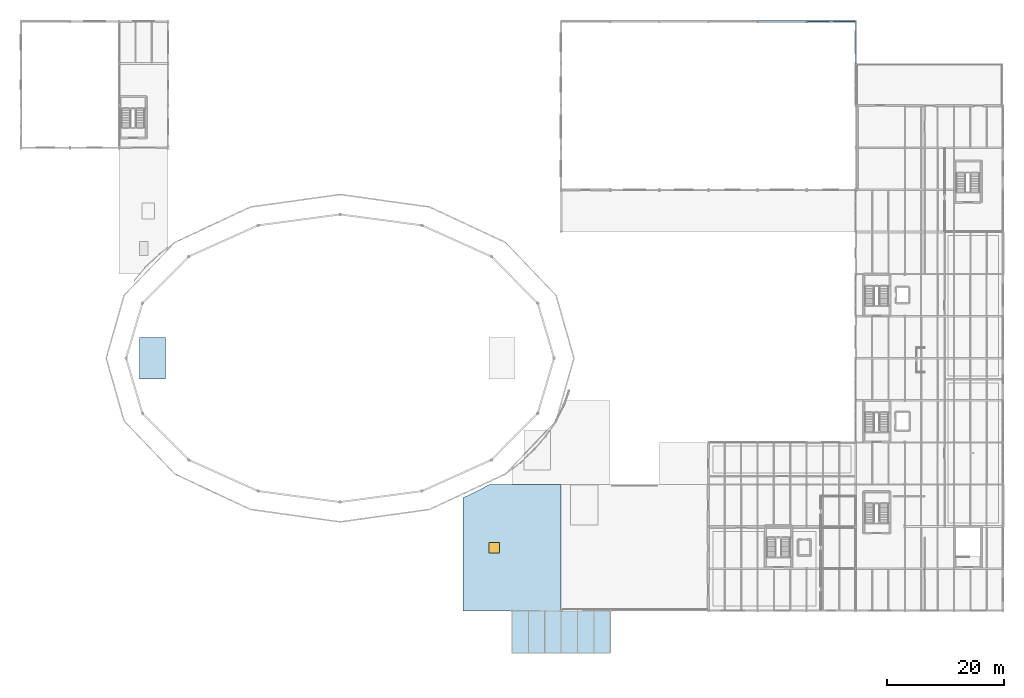
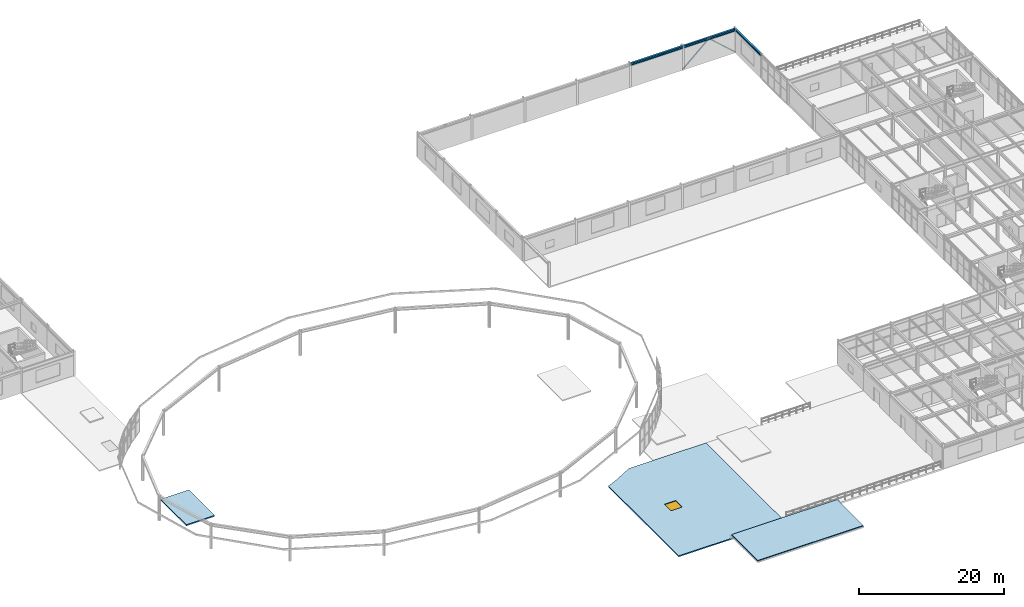
# One storey, part 51 of 73: 3 beams, 3 slabs, 2 members, 1 window, 1 opening.
"""IFC4 building model written with IfcOpenShell, lengths in metres."""

from ifc_helpers import new_model, si_unit, derived_unit, direction, frame, origin, origin_2d, place, context, subcontext, project, spatial, polyline, rectangle, hollow_rectangle, i_section, outline, extrude, material, layer, layer_set, material_profile, profile_set, type_object, element, fill, save


model = new_model("IFC4")

# Units and contexts
model_context = context("Model", 3, precision=1e-05, world=origin(), true_north=direction((0.0, 1.0)))
body_context = subcontext(model_context, "Body", "Model", "MODEL_VIEW")
ifc_project = project(units=[si_unit("LENGTHUNIT", "METRE"), si_unit("AREAUNIT", "SQUARE_METRE"), si_unit("VOLUMEUNIT", "CUBIC_METRE"), si_unit("PLANEANGLEUNIT", "RADIAN"), si_unit("MASSUNIT", "GRAM", prefix="KILO"), derived_unit("THERMALTRANSMITTANCEUNIT", [(si_unit("MASSUNIT", "GRAM", prefix="KILO"), 1), (si_unit("TIMEUNIT", "SECOND"), -3), (si_unit("THERMODYNAMICTEMPERATUREUNIT", "KELVIN"), -1)])], contexts=[model_context])

# Site, building, storey
site_placement = place(None, origin())
site = spatial("IfcSite", under=ifc_project, at=site_placement, CompositionType="ELEMENT")
building_placement = place(site_placement, origin())
building = spatial("IfcBuilding", under=site, at=building_placement, Name="Kharveza Railside Sports Centre", CompositionType="ELEMENT")
storey_placement = place(building_placement, frame((0.0, 0.0, 8.699951171875)))
storey = spatial("IfcBuildingStorey", under=building, at=storey_placement, Name="L02", CompositionType="ELEMENT", Elevation=8.699951171875)

# Beams
ifc_material_1 = material(Name="Steel S355J2", Category="steel")
ifc_material_profile_1 = material_profile(ifc_material_1, i_section(OverallWidth=0.300048828125, OverallDepth=0.31005859375, WebThickness=0.009033203125, FlangeThickness=0.015380859375, FilletRadius=0.027099609375, at=origin_2d()), Name="HEA 320")
ifc_profile_set_1 = profile_set([ifc_material_profile_1], Name="Steel S355J2")
beam_type_1 = type_object("IfcBeamType", Name="BM-S06", PredefinedType="BEAM", material=ifc_profile_set_1)
beam_1_placement = place(storey_placement, frame((142.800048828125, 100.800048828125, 3.844970703125), z_axis=(0.0, 1.0, 0.0), x_axis=(-1.0, 0.0, 0.0)))
element("IfcBeam", 1, at=beam_1_placement, inside=storey, type_object=beam_type_1, Name="BM-NS-L02-B14-X1428-Y1008", PredefinedType="BEAM", context=body_context, shape_type="SweptSolid", body=[
    extrude(i_section(OverallWidth=0.300048828125, OverallDepth=0.31005859375, WebThickness=0.009033203125, FlangeThickness=0.015380859375, FilletRadius=0.027099609375, at=origin_2d()), origin(), (0.0, 0.0, 1.0), 7.199951171875),
])
ifc_material_profile_2 = material_profile(ifc_material_1, i_section(OverallWidth=0.300048828125, OverallDepth=0.389892578125, WebThickness=0.010986328125, FlangeThickness=0.01904296875, FilletRadius=0.027099609375, at=origin_2d()), Name="HEA 400")
ifc_profile_set_2 = profile_set([ifc_material_profile_2], Name="Steel S355J2")
beam_type_2 = type_object("IfcBeamType", Name="BM-SP02", PredefinedType="SPANDREL", material=ifc_profile_set_2)
beam_2_placement = place(storey_placement, frame((126.0, 108.0, 3.804931640625), z_axis=(1.0, 0.0, 0.0), x_axis=(0.0, 1.0, 0.0)))
element("IfcBeam", 2, at=beam_2_placement, inside=storey, type_object=beam_type_2, Name="BM-EW-L02-B16-X1260-Y1080", PredefinedType="SPANDREL", context=body_context, shape_type="SweptSolid", body=[
    extrude(i_section(OverallWidth=0.300048828125, OverallDepth=0.389892578125, WebThickness=0.010986328125, FlangeThickness=0.01904296875, FilletRadius=0.027099609375, at=origin_2d()), origin(), (0.0, 0.0, 1.0), 8.39990234375),
])
beam_3_placement = place(storey_placement, frame((134.39990234375, 108.0, 3.804931640625), z_axis=(1.0, 0.0, 0.0), x_axis=(0.0, 1.0, 0.0)))
element("IfcBeam", 3, at=beam_3_placement, inside=storey, type_object=beam_type_2, Name="BM-EW-L02-B16-X1344-Y1080", PredefinedType="SPANDREL", context=body_context, shape_type="SweptSolid", body=[
    extrude(i_section(OverallWidth=0.300048828125, OverallDepth=0.389892578125, WebThickness=0.010986328125, FlangeThickness=0.01904296875, FilletRadius=0.027099609375, at=origin_2d()), origin(), (0.0, 0.0, 1.0), 8.400146484375),
])

# Members
ifc_material_profile_3 = material_profile(ifc_material_1, hollow_rectangle(XDim=0.14990234375, YDim=0.14990234375, WallThickness=0.008056640625, InnerFilletRadius=0.008056640625, OuterFilletRadius=0.01611328125, at=origin_2d()), Name="SHS 150x150x8.0")
ifc_profile_set_3 = profile_set([ifc_material_profile_3], Name="Steel S355J2")
member_type = type_object("IfcMemberType", Name="MB-BR02", PredefinedType="BRACE", material=ifc_profile_set_3)
member_1_placement = place(storey_placement, frame((134.39990234375, 108.0, 0.0), z_axis=(0.74595304797, 0.0, 0.665998536202), x_axis=(0.0, 1.0, 0.0)))
element("IfcMember", 4, at=member_1_placement, inside=storey, type_object=member_type, Name="MB-CHEV-EW-009A", PredefinedType="BRACE", context=body_context, shape_type="SweptSolid", body=[
    extrude(hollow_rectangle(XDim=0.14990234375, YDim=0.14990234375, WallThickness=0.008056640625, InnerFilletRadius=0.008056640625, OuterFilletRadius=0.01611328125, at=origin_2d()), origin(), (0.0, 0.0, 1.0), 5.630615234375),
])
member_2_placement = place(storey_placement, frame((142.800048828125, 108.0, 0.0), z_axis=(-0.745933814853, 0.0, 0.666020077669), x_axis=(0.0, -1.0, 0.0)))
element("IfcMember", 5, at=member_2_placement, inside=storey, type_object=member_type, Name="MB-CHEV-EW-009B", PredefinedType="BRACE", context=body_context, shape_type="SweptSolid", body=[
    extrude(hollow_rectangle(XDim=0.14990234375, YDim=0.14990234375, WallThickness=0.008056640625, InnerFilletRadius=0.008056640625, OuterFilletRadius=0.01611328125, at=origin_2d()), origin(), (0.0, 0.0, 1.0), 5.63037109375),
])

# Slab
ifc_material_2 = material(Name="Patinated architectural bronze CuSn6")
ifc_layer_1 = layer(ifc_material_2, 0.135009765625, Name="Patinated architectural bronze CuSn6")
ifc_layer_set_1 = layer_set([ifc_layer_1], Name="Patinated architectural bronze CuSn6")
slab_type_1 = type_object("IfcSlabType", Name="SL-RF135", PredefinedType="ROOF", material=ifc_layer_set_1)
slab_1_placement = place(storey_placement, frame((0.0, 0.0, 0.51513671875)))
element("IfcSlab", 6, at=slab_1_placement, inside=storey, type_object=slab_type_1, Name="Main Entrance Canopy Roof Deck", PredefinedType="ROOF", context=body_context, shape_type="SweptSolid", body=[
    extrude(outline(polyline([(84.0, 0.0), (100.800048828125, 0.0), (100.800048828125, 7.199951171875), (84.0, 7.199951171875), (84.0, 0.0)])), origin(), (0.0, 0.0, 1.0), 0.135009765625),
])

# Slab, opening, window
ifc_material_3 = material(Name="Insulated standing-seam zinc-aluminium roof panel", Category="aluminium")
ifc_layer_2 = layer(ifc_material_3, 0.18994140625, Name="Insulated standing-seam zinc-aluminium roof panel")
ifc_layer_set_2 = layer_set([ifc_layer_2], Name="Insulated standing-seam zinc-aluminium roof panel")
slab_type_2 = type_object("IfcSlabType", Name="SL-RF190", PredefinedType="ROOF", material=ifc_layer_set_2)
slab_2_placement = place(storey_placement, frame((0.0, 0.0, -0.18994140625)))
slab_2 = element("IfcSlab", 7, at=slab_2_placement, inside=storey, type_object=slab_type_2, Name="SLB-RF-FOYERW-1", PredefinedType="ROOF", context=body_context, shape_type="SweptSolid", body=[
    extrude(outline(polyline([(92.39990234375, 28.800048828125), (92.39990234375, 7.199951171875), (75.60009765625, 7.199951171875), (75.60009765625, 26.551513671875), (76.842041015625, 27.07275390625), (76.845947265625, 27.074462890625), (79.998779296875, 28.71142578125), (80.00244140625, 28.71337890625), (80.138916015625, 28.800048828125), (92.39990234375, 28.800048828125)])), origin(), (0.0, 0.0, 1.0), 0.18994140625),
])
opening_placement = place(slab_2_placement, frame((81.0, 18.0, -0.02490234375)))
opening = element("IfcOpeningElement", 8, at=opening_placement, cuts=slab_2, Name="Opening SK03", PredefinedType="OPENING", context=body_context, shape_type="SweptSolid", body=[
    extrude(rectangle(XDim=1.800048828125, YDim=1.800048828125, at=origin_2d()), origin(), (0.0, 0.0, 1.0), 0.23974609375),
])
ifc_material_4 = material(Name="Low-E solar-control laminated glass", Category="glass")
window_type = type_object("IfcWindowType", Name="WN-SK03", PartitioningType="SINGLE_PANEL", PredefinedType="SKYLIGHT", material=ifc_material_4)
window_placement = place(slab_2_placement, frame((81.0, 18.0, 0.06982421875)))
window = element("IfcWindow", 9, at=window_placement, inside=storey, type_object=window_type, Name="WN-SK-FYR-1", OverallHeight=1.800048828125, OverallWidth=1.800048828125, PartitioningType="SINGLE_PANEL", PredefinedType="SKYLIGHT", context=body_context, shape_type="SweptSolid", body=[
    extrude(rectangle(XDim=1.800048828125, YDim=1.800048828125, at=origin_2d()), origin(), (0.0, 0.0, 1.0), 0.050048828125),
])
fill(opening, window)

# Slab
slab_3_placement = place(storey_placement, frame((0.0, 0.0, 0.360107421875)))
element("IfcSlab", 10, at=slab_3_placement, inside=storey, type_object=slab_type_2, Name="SLB-STCAP-ST7", PredefinedType="ROOF", context=body_context, shape_type="SweptSolid", body=[
    extrude(outline(polyline([(20.25, 46.85009765625), (24.75, 46.85009765625), (24.75, 53.949951171875), (20.25, 53.949951171875), (20.25, 46.85009765625)])), origin(), (0.0, 0.0, 1.0), 0.18994140625),
])

save(model, "model.ifc")
